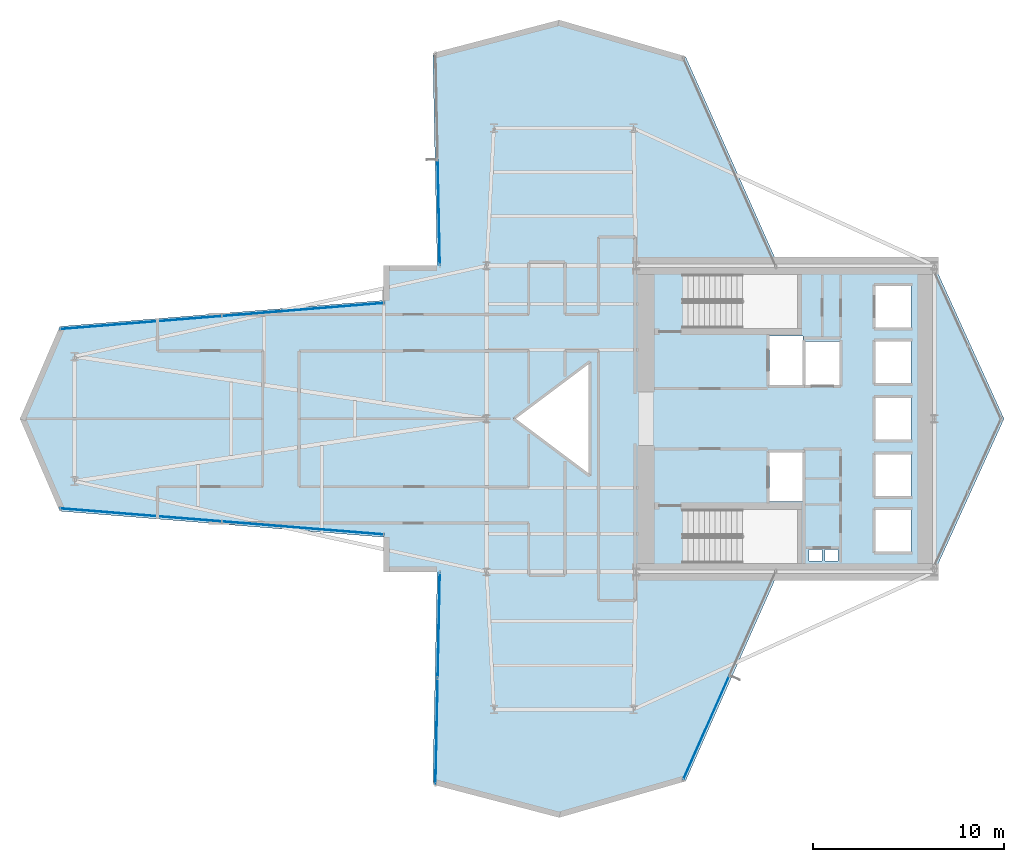
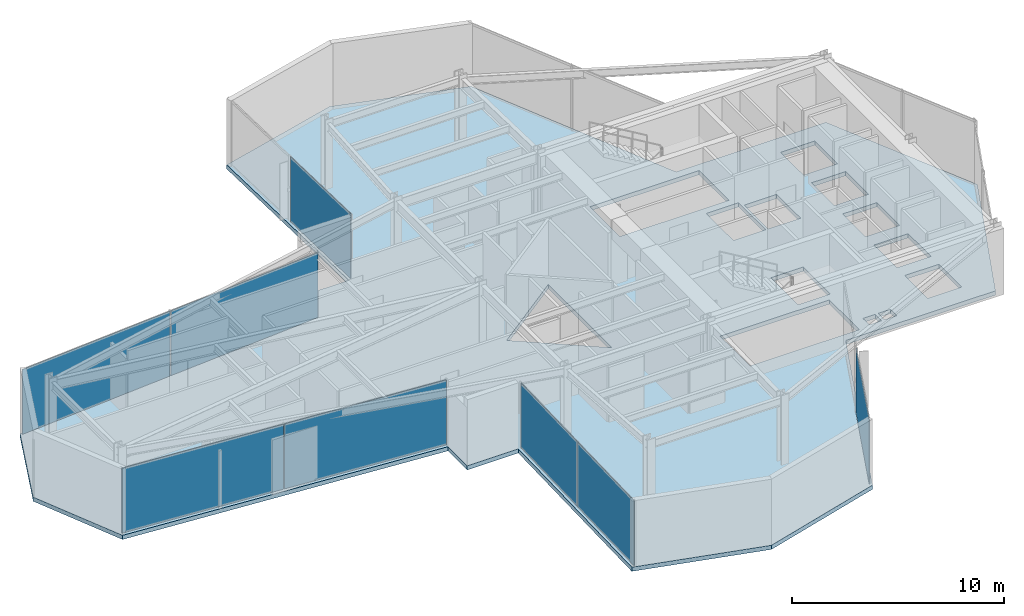
# One storey, part 18 of 23: 8 plates, 1 slab, 5 elements without a shape of their own.
"""IFC4 building model written with IfcOpenShell, lengths in metres."""

from ifc_helpers import new_model, si_unit, direction, frame, origin, origin_2d, place, context, subcontext, project, spatial, polyline, rectangle, outline, extrude, material, layer, layer_set, type_object, element, aggregate, save


model = new_model("IFC4")

# Units and contexts
model_context = context("Model", 3, precision=1e-05, world=origin(), true_north=direction((0.0, 1.0)))
body_context = subcontext(model_context, "Body", "Model", "MODEL_VIEW")
ifc_project = project(units=[si_unit("LENGTHUNIT", "METRE"), si_unit("AREAUNIT", "SQUARE_METRE"), si_unit("VOLUMEUNIT", "CUBIC_METRE"), si_unit("PLANEANGLEUNIT", "RADIAN"), si_unit("MASSUNIT", "GRAM", prefix="KILO")], contexts=[model_context])

# Site, building, storey
site_placement = place(None, origin())
site = spatial("IfcSite", under=ifc_project, at=site_placement, CompositionType="ELEMENT")
building_placement = place(site_placement, origin())
building = spatial("IfcBuilding", under=site, at=building_placement, Name="Veymaron Broadcast Tower", CompositionType="ELEMENT")
storey_placement = place(building_placement, frame((0.0, 0.0, 94.5)))
storey = spatial("IfcBuildingStorey", under=building, at=storey_placement, Name="L21", CompositionType="ELEMENT", Elevation=94.5)

# Curtain wall, plate
ifc_material_1 = material(Name="Anodised aluminium AA 6063-T6 and laminated low-E dark glass", Category="aluminium")
ifc_layer_1 = layer(ifc_material_1, 0.179931640625)
ifc_layer_set_1 = layer_set([ifc_layer_1], Name="Anodised aluminium AA 6063-T6 and laminated low-E dark glass")
curtain_wall_type = type_object("IfcCurtainWallType", Name="CW-SYS-02", PredefinedType="NOTDEFINED", material=ifc_layer_set_1)
curtain_wall_1_placement = place(storey_placement, origin())
curtain_wall_1 = element("IfcCurtainWall", 1, at=curtain_wall_1_placement, inside=storey, type_object=curtain_wall_type, Name="L21 dark-glass curtain wall CW-L21-E8-1", PredefinedType="NOTDEFINED")
ifc_material_2 = material(Name="Double-silver solar-control dark glass IGU 32 mm", Category="glass")
ifc_layer_2 = layer(ifc_material_2, 0.031982421875)
ifc_layer_set_2 = layer_set([ifc_layer_2], Name="Double-silver solar-control dark glass IGU 32 mm")
plate_type = type_object("IfcPlateType", Name="CW-PNL-02", PredefinedType="CURTAIN_PANEL", material=ifc_layer_set_2)
plate_1_placement = place(storey_placement, frame((28.697998046875, 34.777587890625, 0.0400390625), z_axis=(0.0, 0.0, 1.0), x_axis=(0.020680677198, -0.999786131926, 0.0)))
plate_1 = element("IfcPlate", 2, at=plate_1_placement, type_object=plate_type, Name="CW-L21-E8-1 unitised curtain panel 1", PredefinedType="CURTAIN_PANEL", context=body_context, shape_type="SweptSolid", body=[
    extrude(rectangle(XDim=5.49072265625, YDim=0.031982421875, at=origin_2d()), origin(), (0.0, 0.0, 1.0), 3.72998046875),
])
aggregate(curtain_wall_1, [plate_1])

# Curtain wall, plates
curtain_wall_2_placement = place(storey_placement, origin())
curtain_wall_2 = element("IfcCurtainWall", 3, at=curtain_wall_2_placement, inside=storey, type_object=curtain_wall_type, Name="L21 dark-glass curtain wall CW-L21-E11-1", PredefinedType="NOTDEFINED")
plate_2_placement = place(storey_placement, frame((21.610107421875, 29.7080078125, 0.0400390625), z_axis=(0.0, 0.0, 1.0), x_axis=(-0.996776078378, -0.080233718427, 0.0)))
plate_2 = element("IfcPlate", 4, at=plate_2_placement, type_object=plate_type, Name="CW-L21-E11-1 unitised curtain panel 0", PredefinedType="CURTAIN_PANEL", context=body_context, shape_type="SweptSolid", body=[
    extrude(rectangle(XDim=8.433349609375, YDim=0.031982421875, at=origin_2d()), origin(), (0.0, 0.0, 1.0), 3.72998046875),
])
plate_3_placement = place(storey_placement, frame((13.144287109375, 29.026611328125, 0.0400390625), z_axis=(0.0, 0.0, 1.0), x_axis=(-0.996776078378, -0.080233718427, 0.0)))
plate_3 = element("IfcPlate", 5, at=plate_3_placement, type_object=plate_type, Name="CW-L21-E11-1 unitised curtain panel 1", PredefinedType="CURTAIN_PANEL", context=body_context, shape_type="SweptSolid", body=[
    extrude(rectangle(XDim=8.433349609375, YDim=0.031982421875, at=origin_2d()), origin(), (0.0, 0.0, 1.0), 3.72998046875),
])
aggregate(curtain_wall_2, [plate_2, plate_3])

curtain_wall_3_placement = place(storey_placement, origin())
curtain_wall_3 = element("IfcCurtainWall", 6, at=curtain_wall_3_placement, inside=storey, type_object=curtain_wall_type, Name="L21 dark-glass curtain wall CW-L21-E14-1", PredefinedType="NOTDEFINED")
plate_4_placement = place(storey_placement, frame((13.144287109375, 18.973388671875, 0.0400390625), z_axis=(0.0, 0.0, 1.0), x_axis=(0.996776078378, -0.080233718427, 0.0)))
plate_4 = element("IfcPlate", 7, at=plate_4_placement, type_object=plate_type, Name="CW-L21-E14-1 unitised curtain panel 0", PredefinedType="CURTAIN_PANEL", context=body_context, shape_type="SweptSolid", body=[
    extrude(rectangle(XDim=8.433349609375, YDim=0.031982421875, at=origin_2d()), origin(), (0.0, 0.0, 1.0), 3.72998046875),
])
plate_5_placement = place(storey_placement, frame((21.610107421875, 18.2919921875, 0.0400390625), z_axis=(0.0, 0.0, 1.0), x_axis=(0.996776078378, -0.080233718427, 0.0)))
plate_5 = element("IfcPlate", 8, at=plate_5_placement, type_object=plate_type, Name="CW-L21-E14-1 unitised curtain panel 1", PredefinedType="CURTAIN_PANEL", context=body_context, shape_type="SweptSolid", body=[
    extrude(rectangle(XDim=8.433349609375, YDim=0.031982421875, at=origin_2d()), origin(), (0.0, 0.0, 1.0), 3.72998046875),
])
aggregate(curtain_wall_3, [plate_4, plate_5])

curtain_wall_4_placement = place(storey_placement, origin())
curtain_wall_4 = element("IfcCurtainWall", 9, at=curtain_wall_4_placement, inside=storey, type_object=curtain_wall_type, Name="L21 dark-glass curtain wall CW-L21-E17-1", PredefinedType="NOTDEFINED")
plate_6_placement = place(storey_placement, frame((28.697998046875, 13.222412109375, 0.0400390625), z_axis=(0.0, 0.0, 1.0), x_axis=(-0.020680677198, -0.999786131926, 0.0)))
plate_6 = element("IfcPlate", 10, at=plate_6_placement, type_object=plate_type, Name="CW-L21-E17-1 unitised curtain panel 0", PredefinedType="CURTAIN_PANEL", context=body_context, shape_type="SweptSolid", body=[
    extrude(rectangle(XDim=5.49072265625, YDim=0.031982421875, at=origin_2d()), origin(), (0.0, 0.0, 1.0), 3.72998046875),
])
plate_7_placement = place(storey_placement, frame((28.58349609375, 7.6728515625, 0.0400390625), z_axis=(0.0, 0.0, 1.0), x_axis=(-0.020680677198, -0.999786131926, 0.0)))
plate_7 = element("IfcPlate", 11, at=plate_7_placement, type_object=plate_type, Name="CW-L21-E17-1 unitised curtain panel 1", PredefinedType="CURTAIN_PANEL", context=body_context, shape_type="SweptSolid", body=[
    extrude(rectangle(XDim=5.49072265625, YDim=0.031982421875, at=origin_2d()), origin(), (0.0, 0.0, 1.0), 3.72998046875),
])
aggregate(curtain_wall_4, [plate_6, plate_7])

# Curtain wall, plate
curtain_wall_5_placement = place(storey_placement, origin())
curtain_wall_5 = element("IfcCurtainWall", 12, at=curtain_wall_5_placement, inside=storey, type_object=curtain_wall_type, Name="L21 dark-glass curtain wall CW-L21-E20-1", PredefinedType="NOTDEFINED")
plate_8_placement = place(storey_placement, frame((42.67724609375, 7.8623046875, 0.0400390625), z_axis=(0.0, 0.0, 1.0), x_axis=(0.405907368121, 0.913914223823, 0.0)))
plate_8 = element("IfcPlate", 13, at=plate_8_placement, type_object=plate_type, Name="CW-L21-E20-1 unitised curtain panel 0", PredefinedType="CURTAIN_PANEL", context=body_context, shape_type="SweptSolid", body=[
    extrude(rectangle(XDim=5.91748046875, YDim=0.031982421875, at=origin_2d()), origin(), (0.0, 0.0, 1.0), 3.72998046875),
])
aggregate(curtain_wall_5, [plate_8])

# Slab
ifc_material_3 = material(Name="Concrete C40/50", Category="concrete")
ifc_layer_3 = layer(ifc_material_3, 0.239990234375)
ifc_layer_set_3 = layer_set([ifc_layer_3], Name="Concrete C40/50")
slab_type = type_object("IfcSlabType", Name="SLAB-FS6", PredefinedType="FLOOR", material=ifc_layer_set_3)
slab_placement = place(storey_placement, frame((0.0, 0.0, -0.239990234375)))
element("IfcSlab", 14, at=slab_placement, inside=storey, type_object=slab_type, Name="L21 structural floor slab", PredefinedType="FLOOR", context=body_context, shape_type="SweptSolid", body=[
    extrude(outline(polyline([(46.444580078125, 16.0), (54.60009765625, 16.0), (58.23291015625, 24.0), (54.60009765625, 32.0), (46.444580078125, 32.0), (41.592041015625, 42.926025390625), (34.989013671875, 44.8291015625), (28.385986328125, 43.09912109375), (28.615478515625, 32.0), (25.83203125, 32.0), (25.83203125, 30.18798828125), (8.89990234375, 28.8251953125), (6.823974609375, 24.0), (8.89990234375, 19.1748046875), (25.83203125, 17.81201171875), (25.83203125, 16.0), (28.615478515625, 16.0), (28.385986328125, 4.90087890625), (34.989013671875, 3.1708984375), (41.592041015625, 5.073974609375), (46.444580078125, 16.0)]), holes=[polyline([(45.969970703125, 28.330078125), (47.72998046875, 28.330078125), (47.72998046875, 25.77001953125), (45.969970703125, 25.77001953125), (45.969970703125, 28.330078125)]), polyline([(45.969970703125, 22.22998046875), (47.72998046875, 22.22998046875), (47.72998046875, 19.669921875), (45.969970703125, 19.669921875), (45.969970703125, 22.22998046875)]), polyline([(47.8701171875, 28.030029296875), (49.6298828125, 28.030029296875), (49.6298828125, 25.77001953125), (47.8701171875, 25.77001953125), (47.8701171875, 28.030029296875)]), polyline([(51.52001953125, 30.929931640625), (53.3798828125, 30.929931640625), (53.3798828125, 28.77001953125), (51.52001953125, 28.77001953125), (51.52001953125, 30.929931640625)]), polyline([(51.52001953125, 28.030029296875), (53.3798828125, 28.030029296875), (53.3798828125, 25.8701171875), (51.52001953125, 25.8701171875), (51.52001953125, 28.030029296875)]), polyline([(51.52001953125, 22.1298828125), (53.3798828125, 22.1298828125), (53.3798828125, 19.969970703125), (51.52001953125, 19.969970703125), (51.52001953125, 22.1298828125)]), polyline([(51.52001953125, 25.080078125), (53.3798828125, 25.080078125), (53.3798828125, 22.919921875), (51.52001953125, 22.919921875), (51.52001953125, 25.080078125)]), polyline([(51.52001953125, 19.22998046875), (53.3798828125, 19.22998046875), (53.3798828125, 17.070068359375), (51.52001953125, 17.070068359375), (51.52001953125, 19.22998046875)]), polyline([(48.050048828125, 17.159912109375), (48.719970703125, 17.159912109375), (48.719970703125, 16.56005859375), (48.050048828125, 16.56005859375), (48.050048828125, 17.159912109375)]), polyline([(48.8798828125, 17.159912109375), (49.550048828125, 17.159912109375), (49.550048828125, 16.56005859375), (48.8798828125, 16.56005859375), (48.8798828125, 17.159912109375)]), polyline([(36.60009765625, 27.0), (36.60009765625, 21.0), (32.60009765625, 24.0), (36.60009765625, 27.0)]), polyline([(41.489990234375, 31.550048828125), (47.43994140625, 31.550048828125), (47.43994140625, 28.72998046875), (41.489990234375, 28.72998046875), (41.489990234375, 31.550048828125)]), polyline([(41.489990234375, 19.27001953125), (47.43994140625, 19.27001953125), (47.43994140625, 16.449951171875), (41.489990234375, 16.449951171875), (41.489990234375, 19.27001953125)])]), origin(), (0.0, 0.0, 1.0), 0.239990234375),
])

save(model, "model.ifc")
